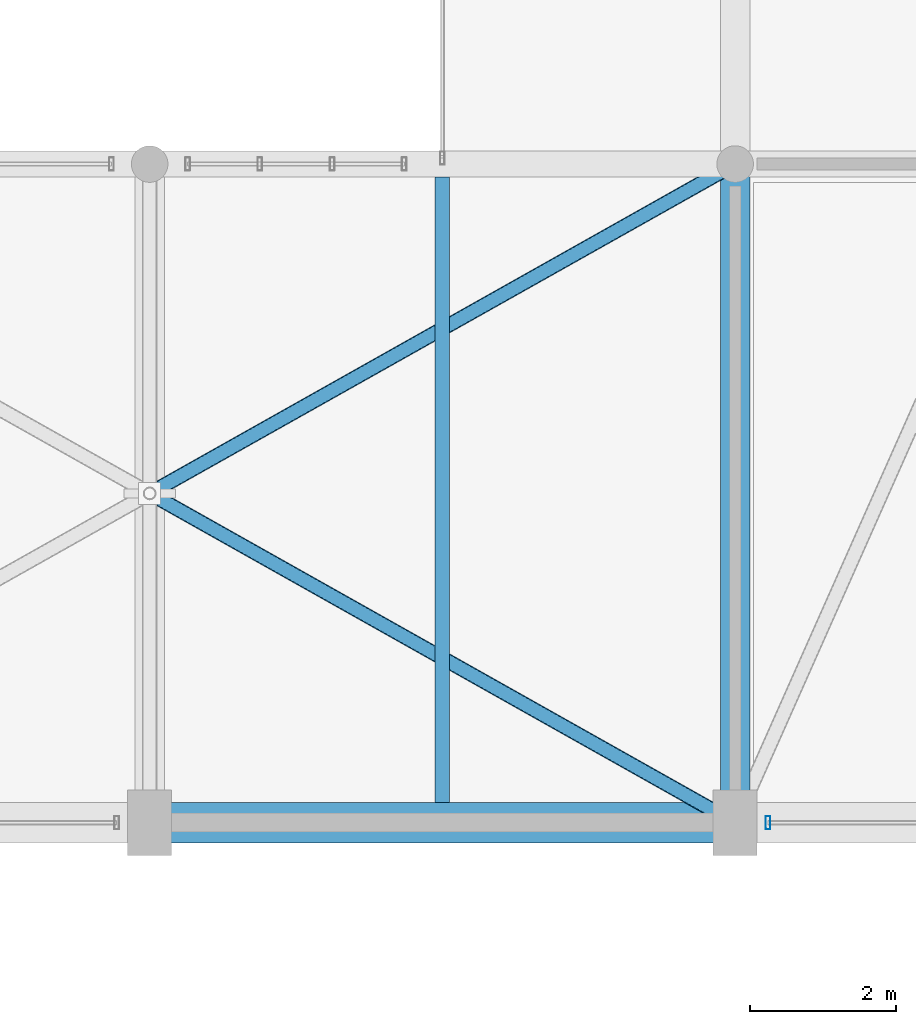
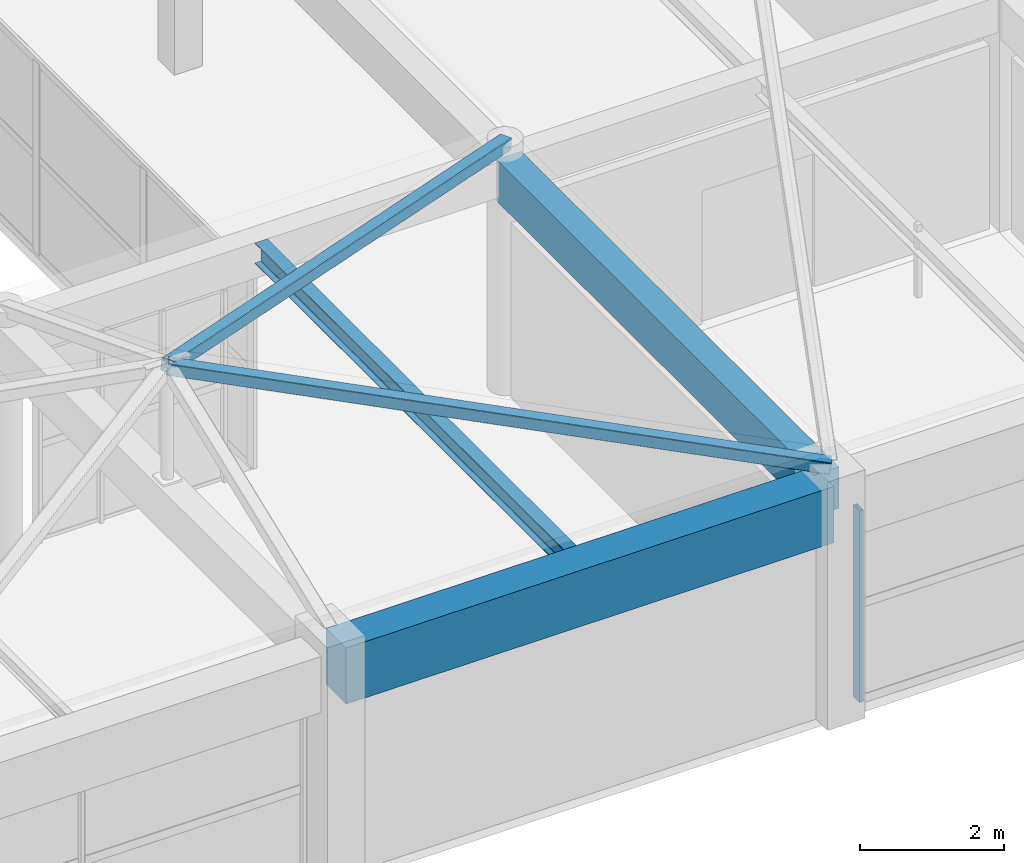
# One storey, part 29 of 63: 3 beams, 3 members, 1 element without a shape of its own.
"""IFC4 building model written with IfcOpenShell, lengths in metres."""

from ifc_helpers import new_model, si_unit, direction, frame, origin, origin_2d, place, context, subcontext, project, spatial, rectangle, hollow_rectangle, i_section, extrude, material, material_profile, profile_set, type_object, element, aggregate, save


model = new_model("IFC4")

# Units and contexts
model_context = context("Model", 3, precision=1e-05, world=origin(), true_north=direction((0.0, 1.0)))
body_context = subcontext(model_context, "Body", "Model", "MODEL_VIEW")
ifc_project = project(units=[si_unit("LENGTHUNIT", "METRE"), si_unit("AREAUNIT", "SQUARE_METRE"), si_unit("VOLUMEUNIT", "CUBIC_METRE"), si_unit("PLANEANGLEUNIT", "RADIAN"), si_unit("MASSUNIT", "GRAM", prefix="KILO")], contexts=[model_context])

# Site, building, storey
site_placement = place(None, origin())
site = spatial("IfcSite", under=ifc_project, at=site_placement, CompositionType="ELEMENT")
building_placement = place(site_placement, origin())
building = spatial("IfcBuilding", under=site, at=building_placement, Name="Varnabhumi Central Station", CompositionType="ELEMENT")
storey_placement = place(building_placement, frame((0.0, 0.0, 20.39990234375)))
storey = spatial("IfcBuildingStorey", under=building, at=storey_placement, Name="L04", CompositionType="ELEMENT", Elevation=20.39990234375)

# Beams
ifc_material_1 = material(Name="Concrete M40", Category="concrete")
ifc_material_profile_1 = material_profile(ifc_material_1, rectangle(XDim=0.550048828125, YDim=0.949951171875, at=origin_2d()), Name="Concrete M40", Category="concrete")
ifc_profile_set_1 = profile_set([ifc_material_profile_1], Name="Concrete M40")
beam_type_1 = type_object("IfcBeamType", Name="BM-RC-550x950", PredefinedType="BEAM", material=ifc_profile_set_1)
beam_1_placement = place(storey_placement, frame((72.10009765625, 80.0, 3.47509765625), z_axis=(1.0, 0.0, 0.0), x_axis=(0.0, 1.0, 0.0)))
element("IfcBeam", 1, at=beam_1_placement, inside=storey, type_object=beam_type_1, Name="Beam L04-K:10-11", PredefinedType="BEAM", context=body_context, shape_type="SweptSolid", body=[
    extrude(rectangle(XDim=0.550048828125, YDim=0.949951171875, at=origin_2d()), origin(), (0.0, 0.0, 1.0), 7.7998046875),
])
ifc_material_profile_2 = material_profile(ifc_material_1, rectangle(XDim=0.39990234375, YDim=0.699951171875, at=origin_2d()), Name="Concrete M40", Category="concrete")
ifc_profile_set_2 = profile_set([ifc_material_profile_2], Name="Concrete M40")
beam_type_2 = type_object("IfcBeamType", Name="BM-RC-700x400", PredefinedType="BEAM", material=ifc_profile_set_2)
beam_2_placement = place(storey_placement, frame((80.0, 80.10009765625, 3.60009765625), z_axis=(0.0, 1.0, 0.0), x_axis=(-1.0, 0.0, 0.0)))
element("IfcBeam", 2, at=beam_2_placement, inside=storey, type_object=beam_type_2, Name="Beam L04-11:K-L", PredefinedType="BEAM", context=body_context, shape_type="SweptSolid", body=[
    extrude(rectangle(XDim=0.39990234375, YDim=0.699951171875, at=origin_2d()), origin(), (0.0, 0.0, 1.0), 8.7998046875),
])
ifc_material_2 = material(Name="Structural steel E350", Category="steel")
ifc_material_profile_3 = material_profile(ifc_material_2, i_section(OverallWidth=0.199951171875, OverallDepth=0.35009765625, WebThickness=0.008056640625, FlangeThickness=0.011474609375, FilletRadius=0.011962890625, at=origin_2d()), Name="Structural steel E350", Category="steel")
ifc_profile_set_3 = profile_set([ifc_material_profile_3], Name="Structural steel E350")
beam_type_3 = type_object("IfcBeamType", Name="BM-STL-ISWB350", PredefinedType="JOIST", material=ifc_profile_set_3)
beam_3_placement = place(storey_placement, frame((76.0, 80.27490234375, 3.775146484375), z_axis=(0.0, 1.0, 0.0), x_axis=(-1.0, 0.0, 0.0)))
element("IfcBeam", 3, at=beam_3_placement, inside=storey, type_object=beam_type_3, Name="Secondary Joist L04-10/11:K-L", PredefinedType="JOIST", context=body_context, shape_type="SweptSolid", body=[
    extrude(i_section(OverallWidth=0.199951171875, OverallDepth=0.35009765625, WebThickness=0.008056640625, FlangeThickness=0.011474609375, FilletRadius=0.011962890625, at=origin_2d()), origin(), (0.0, 0.0, 1.0), 8.550048828125),
])

# Curtain wall, member
ifc_material_3 = material(Name="Anodised aluminium 6063-T6", Category="aluminium")
curtain_wall_type = type_object("IfcCurtainWallType", Name="CW-SPINE-SCREEN-L0", PredefinedType="NOTDEFINED", material=ifc_material_3)
curtain_wall_placement = place(storey_placement, origin())
curtain_wall = element("IfcCurtainWall", 4, at=curtain_wall_placement, inside=storey, type_object=curtain_wall_type, Name="Curtain Wall CW-NS402", PredefinedType="NOTDEFINED")
ifc_material_profile_4 = material_profile(ifc_material_3, hollow_rectangle(XDim=0.06494140625, YDim=0.179931640625, WallThickness=0.00390625, InnerFilletRadius=0.001953125, OuterFilletRadius=0.006103515625, at=origin_2d()), Name="Anodised aluminium 6063-T6", Category="aluminium")
ifc_profile_set_4 = profile_set([ifc_material_profile_4], Name="Anodised aluminium 6063-T6")
member_type_1 = type_object("IfcMemberType", Name="CW-MUL-180", PredefinedType="MULLION", material=ifc_profile_set_4)
member_placement = place(storey_placement, frame((80.449951171875, 80.0, 0.0), z_axis=(0.0, 0.0, 1.0), x_axis=(1.0, 0.0, 0.0)))
member = element("IfcMember", 5, at=member_placement, type_object=member_type_1, Name="Curtain Wall Mullion CW-NS402-M1", PredefinedType="MULLION", context=body_context, shape_type="SweptSolid", body=[
    extrude(hollow_rectangle(XDim=0.06494140625, YDim=0.179931640625, WallThickness=0.00390625, InnerFilletRadius=0.001953125, OuterFilletRadius=0.006103515625, at=origin_2d()), origin(), (0.0, 0.0, 1.0), 3.239990234375),
])
aggregate(curtain_wall, [member])

# Members
ifc_material_profile_5 = material_profile(ifc_material_2, hollow_rectangle(XDim=0.199951171875, YDim=0.199951171875, WallThickness=0.010009765625, InnerFilletRadius=0.010009765625, OuterFilletRadius=0.02001953125, at=origin_2d()), Name="Structural steel E350", Category="steel")
ifc_profile_set_5 = profile_set([ifc_material_profile_5], Name="Structural steel E350")
member_type_2 = type_object("IfcMemberType", Name="MBR-RAFT-SHS200", PredefinedType="RAFTER", material=ifc_profile_set_5)
for number, where, z_axis, x_axis, name in (
    (6, (80.0, 80.0, 4.110107421875), (-0.856153773676, 0.481586497693, 0.187283637992), (-0.490261239633, -0.871575537125, 0.0), "Mission Roof Hip Rafter NBP5S-WS"),
    (7, (80.0, 89.0, 4.110107421875), (-0.856153773676, -0.481586497693, 0.187283637992), (0.490261239633, -0.871575537125, 0.0), "Mission Roof Hip Rafter NBP5S-WN"),
):
    element("IfcMember", number, at=place(storey_placement, frame(where, z_axis=z_axis, x_axis=x_axis)), inside=storey, type_object=member_type_2, Name=name, PredefinedType="RAFTER", context=body_context, shape_type="SweptSolid", body=[
        extrude(hollow_rectangle(XDim=0.199951171875, YDim=0.199951171875, WallThickness=0.010009765625, InnerFilletRadius=0.010009765625, OuterFilletRadius=0.02001953125, at=origin_2d()), origin(), (0.0, 0.0, 1.0), 9.343994140625),
    ])

save(model, "model.ifc")
